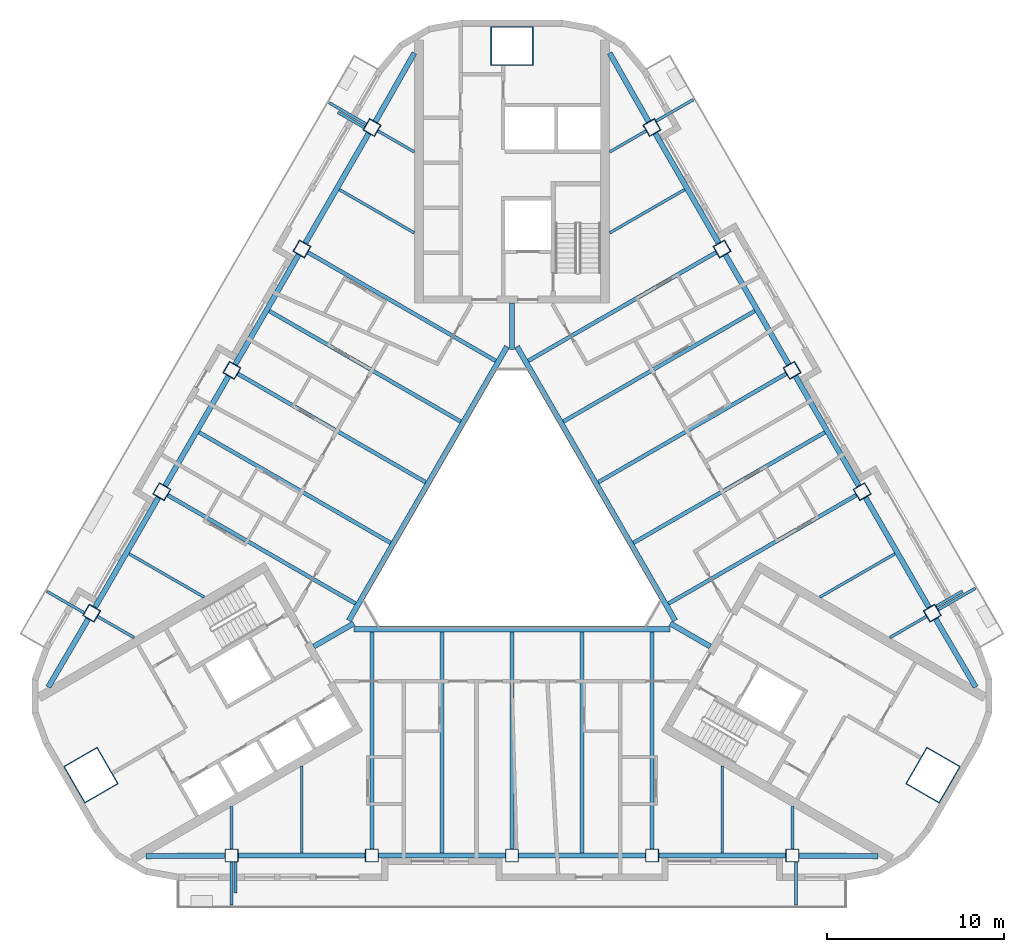
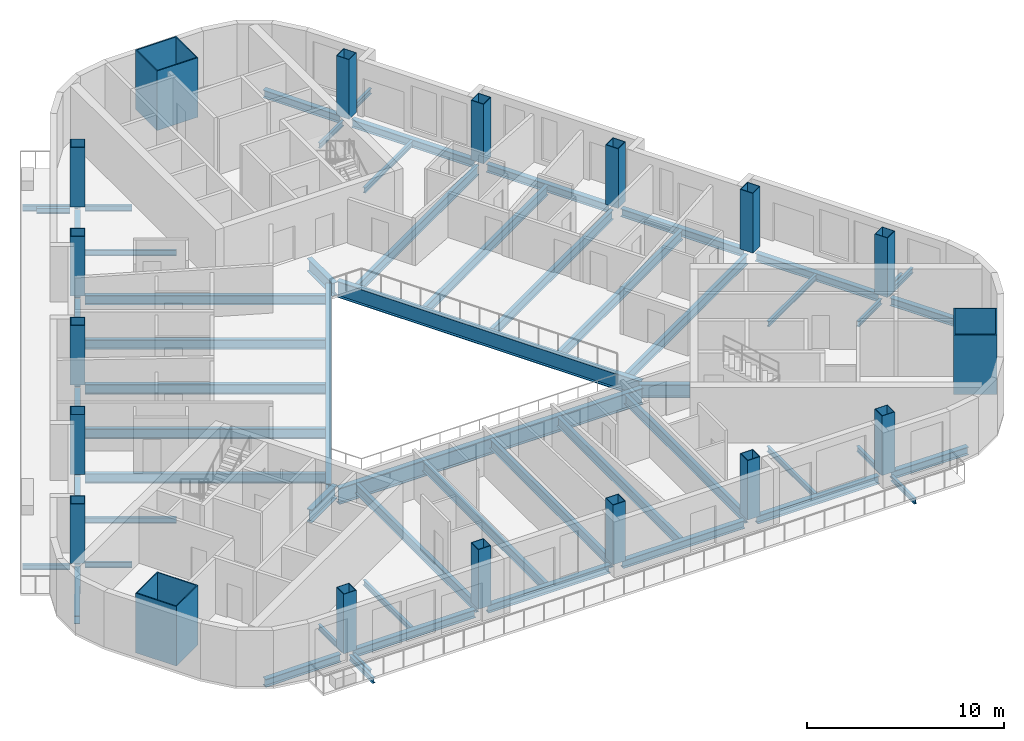
# One storey, part 1 of 14: 60 beams, 18 columns.
"""IFC4 building model written with IfcOpenShell, lengths in metres."""

import ifcopenshell
import ifcopenshell.guid

model = None  # the IFC model being written
_history = None  # IfcOwnerHistory: only IFC2X3 demands one
_inside = {}  # id of a spatial element -> (the spatial element, [elements in it])
_under = {}  # id of a project, library or spatial element -> (it, [spatial elements below it])
_declared = {}  # id of a project -> (the project, [libraries it declares])
_typed = {}  # id of a type object -> (the type object, [elements of that type])
_made_of = {}  # id of a material, layer set ... -> (it, [elements and type objects made of it])


def new_model(schema):
    """Start an empty IFC model of exactly this schema.

    Asked for "IFC4X3", IfcOpenShell would pick the latest addendum, in which some entities
    have other attributes; the version numbers below select the first issue.
    IFC2X3 requires an IfcOwnerHistory on every rooted entity: one is made here for all.
    """
    global model, _history
    if schema == "IFC4X3":
        model = ifcopenshell.file(schema_version=(4, 3, 0, 0))
    else:
        model = ifcopenshell.file(schema=schema)
    _inside.clear()
    _under.clear()
    _declared.clear()
    _typed.clear()
    _made_of.clear()
    _history = None
    if model.schema == "IFC2X3":
        org = make("IfcOrganization", Name="unknown")
        user = make(
            "IfcPersonAndOrganization",
            ThePerson=make("IfcPerson", FamilyName="unknown"),
            TheOrganization=org,
        )
        app = make(
            "IfcApplication",
            ApplicationDeveloper=org,
            Version="unknown",
            ApplicationFullName="unknown",
            ApplicationIdentifier="unknown",
        )
        _history = make(
            "IfcOwnerHistory",
            OwningUser=user,
            OwningApplication=app,
            ChangeAction="ADDED",
            CreationDate=0,
        )
    return model


def make(cls, **values):
    """One entity of the class cls with the attributes given. An attribute that is None is left unset."""
    return model.create_entity(
        cls, **{name: value for name, value in values.items() if value is not None}
    )


def rooted(cls, **values):
    """An entity with a GlobalId (a new one), such as an element, a storey or a relation."""
    return make(cls, GlobalId=ifcopenshell.guid.new(), OwnerHistory=_history, **values)


def si_unit(unit_type, name, prefix=None):
    """IfcSIUnit, for example si_unit("LENGTHUNIT", "METRE", prefix="MILLI")."""
    return make("IfcSIUnit", UnitType=unit_type, Prefix=prefix, Name=name)


def assignment(units):
    """IfcUnitAssignment: the units of a project."""
    return None if units is None else make("IfcUnitAssignment", Units=units)


def point(xyz):
    """IfcCartesianPoint."""
    return None if xyz is None else make("IfcCartesianPoint", Coordinates=xyz)


def direction(xyz):
    """IfcDirection."""
    return None if xyz is None else make("IfcDirection", DirectionRatios=xyz)


def frame(location, z_axis=None, x_axis=None):
    """IfcAxis2Placement3D, a coordinate frame: its origin and axes. An axis left out is left unset."""
    return make(
        "IfcAxis2Placement3D",
        Location=point(location),
        Axis=direction(z_axis),
        RefDirection=direction(x_axis),
    )


def frame_2d(location, x_axis=None):
    """IfcAxis2Placement2D, a coordinate frame in the plane: its origin and x axis."""
    return make(
        "IfcAxis2Placement2D", Location=point(location), RefDirection=direction(x_axis)
    )


def origin():
    """The frame at (0, 0, 0) with its axes left unset."""
    return frame((0.0, 0.0, 0.0))


def origin_2d():
    """The frame at (0, 0) in the plane with its x axis left unset."""
    return frame_2d((0.0, 0.0))


def place(relative_to, where):
    """IfcLocalPlacement: puts the frame where relative to a parent placement (None: the world)."""
    return make(
        "IfcLocalPlacement", PlacementRelTo=relative_to, RelativePlacement=where
    )


def context(
    kind, dimensions, precision=None, world=None, true_north=None, identifier=None
):
    """IfcGeometricRepresentationContext, for example the 3D "Model" context."""
    return make(
        "IfcGeometricRepresentationContext",
        ContextIdentifier=identifier,
        ContextType=kind,
        CoordinateSpaceDimension=dimensions,
        Precision=precision,
        WorldCoordinateSystem=world,
        TrueNorth=true_north,
    )


def subcontext(parent, identifier, kind, view, scale=None):
    """IfcGeometricRepresentationSubContext, for example "Body" below "Model"."""
    return make(
        "IfcGeometricRepresentationSubContext",
        ContextIdentifier=identifier,
        ContextType=kind,
        ParentContext=parent,
        TargetScale=scale,
        TargetView=view,
    )


def project(units=None, contexts=None):
    """IfcProject with its units and contexts."""
    return rooted(
        "IfcProject",
        Name="project",
        RepresentationContexts=contexts,
        UnitsInContext=assignment(units),
    )


def spatial(cls, under=None, at=None, **own):
    """A site, building, storey or space (cls), placed at a placement, below another one or the project."""
    s = rooted(cls, ObjectPlacement=at, **own)
    if under is not None:
        _under.setdefault(under.id(), (under, []))[1].append(s)
    return s


def profile(cls, at=None, kind="AREA", **sizes):
    """A parametric profile (cls). Its sizes go by their IFC names, for example OverallWidth=200.0."""
    return make(cls, ProfileType=kind, Position=at, **sizes)


def rectangle(**sizes):
    """IfcRectangleProfileDef."""
    return profile("IfcRectangleProfileDef", **sizes)


def hollow_rectangle(**sizes):
    """IfcRectangleHollowProfileDef."""
    return profile("IfcRectangleHollowProfileDef", **sizes)


def i_section(**sizes):
    """IfcIShapeProfileDef."""
    return profile("IfcIShapeProfileDef", **sizes)


def extrude(swept, where, along, depth):
    """IfcExtrudedAreaSolid: the profile swept, set in the frame where, extruded along a direction by depth."""
    return make(
        "IfcExtrudedAreaSolid",
        SweptArea=swept,
        Position=where,
        ExtrudedDirection=direction(along),
        Depth=depth,
    )


def shape(context_of_items, identifier, shape_type, items):
    """IfcShapeRepresentation: the items that make up one representation, for example the "Body"."""
    return make(
        "IfcShapeRepresentation",
        ContextOfItems=context_of_items,
        RepresentationIdentifier=identifier,
        RepresentationType=shape_type,
        Items=items,
    )


def material(Name=None, Category=None):
    """IfcMaterial."""
    return make("IfcMaterial", Name=Name, Category=Category)


def material_profile(
    of_material, cross_section, Name=None, Category=None, Priority=None
):
    """IfcMaterialProfile: a cross section and its material."""
    return make(
        "IfcMaterialProfile",
        Name=Name,
        Material=of_material,
        Profile=cross_section,
        Priority=Priority,
        Category=Category,
    )


def profile_set(profiles, Name=None, composite=None):
    """IfcMaterialProfileSet."""
    return make(
        "IfcMaterialProfileSet",
        Name=Name,
        MaterialProfiles=profiles,
        CompositeProfile=composite,
    )


def made_of(thing, what):
    """Note that an element or type object is made of a material, layer set ...; save() writes the relation."""
    if what is not None:
        _made_of.setdefault(what.id(), (what, []))[1].append(thing)
    return thing


def type_object(cls, material=None, **own):
    """A type object (cls), such as IfcWallType, which elements share."""
    return made_of(rooted(cls, **own), material)


def element(
    cls,
    number,
    at=None,
    inside=None,
    cuts=None,
    type_object=None,
    material=None,
    context=None,
    identifier="Body",
    shape_type=None,
    held_by="IfcProductDefinitionShape",
    body=None,
    shapes=None,
    **own,
):
    """One element of the class cls, such as IfcWall. Its Tag is "e" and its number.

    at: its placement. inside: the storey or other place that contains it. cuts: it is an
    opening in that element (IfcRelVoidsElement). A single representation is given by context,
    identifier, shape_type and body (its items); several are given by shapes. held_by: the class
    of the entity that holds the representations. save() writes the other relations.
    """
    e = rooted(cls, Tag="e%d" % number, ObjectPlacement=at, **own)
    if body is not None:
        shapes = [shape(context, identifier, shape_type, body)]
    if shapes is not None:
        e.Representation = make(held_by, Representations=shapes)
    if inside is not None:
        _inside.setdefault(inside.id(), (inside, []))[1].append(e)
    if cuts is not None:
        rooted(
            "IfcRelVoidsElement", RelatingBuildingElement=cuts, RelatedOpeningElement=e
        )
    if type_object is not None:
        _typed.setdefault(type_object.id(), (type_object, []))[1].append(e)
    return made_of(e, material)


def aggregate(whole, parts):
    """IfcRelAggregates: a whole, such as a stair, and the parts it consists of."""
    return rooted("IfcRelAggregates", RelatingObject=whole, RelatedObjects=parts)


def save(model, path):
    """Write the relations noted so far, then the file.

    IfcRelAggregates (storeys below a building ...), IfcRelContainedInSpatialStructure (elements
    in a storey), IfcRelDefinesByType, IfcRelAssociatesMaterial and IfcRelDeclares: one each for
    every whole, place, type object, material and project.
    """
    for whole, parts in _under.values():
        aggregate(whole, parts)
    for where, things in _inside.values():
        rooted(
            "IfcRelContainedInSpatialStructure",
            RelatedElements=things,
            RelatingStructure=where,
        )
    for kind, things in _typed.values():
        rooted("IfcRelDefinesByType", RelatedObjects=things, RelatingType=kind)
    for what, things in _made_of.values():
        rooted("IfcRelAssociatesMaterial", RelatedObjects=things, RelatingMaterial=what)
    for by, libraries in _declared.values():
        rooted("IfcRelDeclares", RelatingContext=by, RelatedDefinitions=libraries)
    model.write(path)


model = new_model("IFC4")

# Units and contexts
model_context = context("Model", 3, precision=1e-05, world=origin(), true_north=direction((0.0, 1.0)))
body_context = subcontext(model_context, "Body", "Model", "MODEL_VIEW")
ifc_project = project(units=[si_unit("LENGTHUNIT", "METRE"), si_unit("AREAUNIT", "SQUARE_METRE"), si_unit("VOLUMEUNIT", "CUBIC_METRE"), si_unit("PLANEANGLEUNIT", "RADIAN"), si_unit("MASSUNIT", "GRAM", prefix="KILO")], contexts=[model_context])

# Site, building, storey
site_placement = place(None, origin())
site = spatial("IfcSite", under=ifc_project, at=site_placement, CompositionType="ELEMENT")
building_placement = place(site_placement, origin())
building = spatial("IfcBuilding", under=site, at=building_placement, Name="Apuvela Tower Hotel", CompositionType="ELEMENT")
storey_placement = place(building_placement, frame((0.0, 0.0, 228.0)))
storey = spatial("IfcBuildingStorey", under=building, at=storey_placement, Name="L56", CompositionType="ELEMENT", Elevation=228.0)

# Columns
ifc_material_1 = material(Name="Steel S460", Category="steel")
ifc_material_profile_1 = material_profile(ifc_material_1, hollow_rectangle(XDim=2.39990234375, YDim=2.199951171875, WallThickness=0.06005859375, at=origin_2d()), Name="BOX 2400x2200x60")
ifc_material_2 = material(Name="Concrete C80/95", Category="concrete")
ifc_material_profile_2 = material_profile(ifc_material_2, rectangle(XDim=2.280029296875, YDim=2.080078125, at=origin_2d()), Name="Concrete C80/95 infill")
ifc_profile_set_1 = profile_set([ifc_material_profile_1, ifc_material_profile_2], Name="Steel S460")
column_type_1 = type_object("IfcColumnType", Name="STR-MC mega column BOX 2400x2200x60", PredefinedType="COLUMN", material=ifc_profile_set_1)
for number, where, z_axis, x_axis, name in (
    (1, (0.0, 27.39990234375, 0.0), (0.0, 0.0, 1.0), (1.0, 0.0, 0.0), "Mega column MC3 N"),
    (2, (-23.72900390625, -13.699951171875, 0.0), (0.0, 0.0, 1.0), (-0.5, 0.866025403784, 0.0), "Mega column MC3 SW"),
    (3, (23.72900390625, -13.699951171875, 0.0), (0.0, 0.0, 1.0), (0.5, 0.866025403784, 0.0), "Mega column MC3 SE"),
):
    element("IfcColumn", number, at=place(storey_placement, frame(where, z_axis=z_axis, x_axis=x_axis)), inside=storey, type_object=column_type_1, Name=name, PredefinedType="COLUMN", context=body_context, shape_type="SweptSolid", body=[
        extrude(hollow_rectangle(XDim=2.39990234375, YDim=2.199951171875, WallThickness=0.06005859375, at=origin_2d()), origin(), (0.0, 0.0, 1.0), 3.699951171875),
    ])
ifc_material_profile_3 = material_profile(ifc_material_1, hollow_rectangle(XDim=0.75, YDim=0.75, WallThickness=0.034912109375, at=origin_2d()), Name="BOX 750x750x35")
ifc_material_profile_4 = material_profile(ifc_material_2, rectangle(XDim=0.679931640625, YDim=0.679931640625, at=origin_2d()), Name="Concrete C80/95 infill")
ifc_profile_set_2 = profile_set([ifc_material_profile_3, ifc_material_profile_4], Name="Steel S460")
column_type_2 = type_object("IfcColumnType", Name="STR-PC perimeter column BOX 750x750x35", PredefinedType="COLUMN", material=ifc_profile_set_2)
for number, where, z_axis, x_axis, name in (
    (4, (-15.800048828125, -18.22998046875, 0.0), (0.0, 0.0, 1.0), (-1.0, 0.0, 0.0), "Perimeter column C5 S1"),
    (5, (-7.89990234375, -18.22998046875, 0.0), (0.0, 0.0, 1.0), (-1.0, 0.0, 0.0), "Perimeter column C5 S2"),
    (6, (0.0, -18.22998046875, 0.0), (0.0, 0.0, 1.0), (-1.0, 0.0, 0.0), "Perimeter column C5 S3"),
    (7, (7.89990234375, -18.22998046875, 0.0), (0.0, 0.0, 1.0), (-1.0, 0.0, 0.0), "Perimeter column C5 S4"),
    (8, (15.800048828125, -18.22998046875, 0.0), (0.0, 0.0, 1.0), (-1.0, 0.0, 0.0), "Perimeter column C5 S5"),
    (9, (23.6875, -4.568115234375, 0.0), (0.0, 0.0, 1.0), (-0.5, 0.866025403784, 0.0), "Perimeter column C5 NE1"),
    (10, (19.737548828125, 2.2734375, 0.0), (0.0, 0.0, 1.0), (-0.5, 0.866025403784, 0.0), "Perimeter column C5 NE2"),
    (11, (15.78759765625, 9.114990234375, 0.0), (0.0, 0.0, 1.0), (-0.5, 0.866025403784, 0.0), "Perimeter column C5 NE3"),
    (12, (11.837646484375, 15.95654296875, 0.0), (0.0, 0.0, 1.0), (-0.5, 0.866025403784, 0.0), "Perimeter column C5 NE4"),
    (13, (7.8876953125, 22.798095703125, 0.0), (0.0, 0.0, 1.0), (-0.5, 0.866025403784, 0.0), "Perimeter column C5 NE5"),
    (14, (-7.8876953125, 22.798095703125, 0.0), (0.0, 0.0, 1.0), (0.5, 0.866025403784, 0.0), "Perimeter column C5 NW1"),
    (15, (-11.837646484375, 15.95654296875, 0.0), (0.0, 0.0, 1.0), (0.5, 0.866025403784, 0.0), "Perimeter column C5 NW2"),
    (16, (-15.78759765625, 9.114990234375, 0.0), (0.0, 0.0, 1.0), (0.5, 0.866025403784, 0.0), "Perimeter column C5 NW3"),
    (17, (-19.737548828125, 2.2734375, 0.0), (0.0, 0.0, 1.0), (0.5, 0.866025403784, 0.0), "Perimeter column C5 NW4"),
    (18, (-23.6875, -4.568115234375, 0.0), (0.0, 0.0, 1.0), (0.5, 0.866025403784, 0.0), "Perimeter column C5 NW5"),
):
    element("IfcColumn", number, at=place(storey_placement, frame(where, z_axis=z_axis, x_axis=x_axis)), inside=storey, type_object=column_type_2, Name=name, PredefinedType="COLUMN", context=body_context, shape_type="SweptSolid", body=[
        extrude(hollow_rectangle(XDim=0.75, YDim=0.75, WallThickness=0.034912109375, at=origin_2d()), origin(), (0.0, 0.0, 1.0), 3.699951171875),
    ])

# Beams
ifc_material_3 = material(Name="Steel S355", Category="steel")
ifc_material_profile_5 = material_profile(ifc_material_3, i_section(OverallWidth=0.159912109375, OverallDepth=0.330078125, WebThickness=0.007568359375, FlangeThickness=0.011474609375, at=origin_2d()), Name="IPE 330")
ifc_profile_set_3 = profile_set([ifc_material_profile_5], Name="Steel S355")
beam_type_1 = type_object("IfcBeamType", Name="ENV-BALCONY-BEAM-IPE330", PredefinedType="BEAM", material=ifc_profile_set_3)
beam_1_placement = place(storey_placement, frame((-15.800048828125, -18.60498046875, -0.31494140625), z_axis=(0.0, -1.0, 0.0), x_axis=(1.0, 0.0, 0.0)))
element("IfcBeam", 19, at=beam_1_placement, inside=storey, type_object=beam_type_1, Name="Balcony cantilever beam S1 L56", PredefinedType="BEAM", context=body_context, shape_type="SweptSolid", body=[
    extrude(i_section(OverallWidth=0.159912109375, OverallDepth=0.330078125, WebThickness=0.007568359375, FlangeThickness=0.011474609375, at=origin_2d()), origin(), (0.0, 0.0, 1.0), 2.425048828125),
])
beam_2_placement = place(storey_placement, frame((-15.580078125, -18.60498046875, -0.31494140625), z_axis=(0.0, -1.0, 0.0), x_axis=(1.0, 0.0, 0.0)))
element("IfcBeam", 20, at=beam_2_placement, inside=storey, type_object=beam_type_1, Name="Balcony cantilever beam S2 L56", PredefinedType="BEAM", context=body_context, shape_type="SweptSolid", body=[
    extrude(i_section(OverallWidth=0.159912109375, OverallDepth=0.330078125, WebThickness=0.007568359375, FlangeThickness=0.011474609375, at=origin_2d()), origin(), (0.0, 0.0, 1.0), 1.72509765625),
])
for number, where, z_axis, x_axis, name in (
    (21, (16.0, -18.60498046875, -0.31494140625), (0.0, -1.0, 0.0), (1.0, 0.0, 0.0), "Balcony cantilever beam S3 L56"),
    (22, (24.012451171875, -4.380615234375, -0.31494140625), (0.866041403502, 0.499972286653, 0.0), (-0.499972286653, 0.866041403502, 0.0), "Balcony cantilever beam NE1 L56"),
):
    element("IfcBeam", number, at=place(storey_placement, frame(where, z_axis=z_axis, x_axis=x_axis)), inside=storey, type_object=beam_type_1, Name=name, PredefinedType="BEAM", context=body_context, shape_type="SweptSolid", body=[
        extrude(i_section(OverallWidth=0.159912109375, OverallDepth=0.330078125, WebThickness=0.007568359375, FlangeThickness=0.011474609375, at=origin_2d()), origin(), (0.0, 0.0, 1.0), 2.425048828125),
    ])
beam_3_placement = place(storey_placement, frame((23.90234375, -4.190185546875, -0.31494140625), z_axis=(0.866013532718, 0.500020560727, 0.0), x_axis=(-0.500020560727, 0.866013532718, 0.0)))
element("IfcBeam", 23, at=beam_3_placement, inside=storey, type_object=beam_type_1, Name="Balcony cantilever beam NE2 L56", PredefinedType="BEAM", context=body_context, shape_type="SweptSolid", body=[
    extrude(i_section(OverallWidth=0.159912109375, OverallDepth=0.330078125, WebThickness=0.007568359375, FlangeThickness=0.011474609375, at=origin_2d()), origin(), (0.0, 0.0, 1.0), 1.72509765625),
])
for number, where, z_axis, x_axis, name in (
    (24, (8.1123046875, 23.158935546875, -0.31494140625), (0.866041403502, 0.499972286653, 0.0), (-0.499972286653, 0.866041403502, 0.0), "Balcony cantilever beam NE3 L56"),
    (25, (-8.21240234375, 22.985595703125, -0.31494140625), (-0.865997808697, 0.500047793048, 0.0), (-0.500047793048, -0.865997808697, 0.0), "Balcony cantilever beam NW1 L56"),
):
    element("IfcBeam", number, at=place(storey_placement, frame(where, z_axis=z_axis, x_axis=x_axis)), inside=storey, type_object=beam_type_1, Name=name, PredefinedType="BEAM", context=body_context, shape_type="SweptSolid", body=[
        extrude(i_section(OverallWidth=0.159912109375, OverallDepth=0.330078125, WebThickness=0.007568359375, FlangeThickness=0.011474609375, at=origin_2d()), origin(), (0.0, 0.0, 1.0), 2.425048828125),
    ])
beam_4_placement = place(storey_placement, frame((-8.322509765625, 22.795166015625, -0.31494140625), z_axis=(-0.866013532718, 0.500020560727, 0.0), x_axis=(-0.500020560727, -0.866013532718, 0.0)))
element("IfcBeam", 26, at=beam_4_placement, inside=storey, type_object=beam_type_1, Name="Balcony cantilever beam NW2 L56", PredefinedType="BEAM", context=body_context, shape_type="SweptSolid", body=[
    extrude(i_section(OverallWidth=0.159912109375, OverallDepth=0.330078125, WebThickness=0.007568359375, FlangeThickness=0.011474609375, at=origin_2d()), origin(), (0.0, 0.0, 1.0), 1.72509765625),
])
beam_5_placement = place(storey_placement, frame((-24.1123046875, -4.553955078125, -0.31494140625), z_axis=(-0.865997808697, 0.500047793048, 0.0), x_axis=(-0.500047793048, -0.865997808697, 0.0)))
element("IfcBeam", 27, at=beam_5_placement, inside=storey, type_object=beam_type_1, Name="Balcony cantilever beam NW3 L56", PredefinedType="BEAM", context=body_context, shape_type="SweptSolid", body=[
    extrude(i_section(OverallWidth=0.159912109375, OverallDepth=0.330078125, WebThickness=0.007568359375, FlangeThickness=0.011474609375, at=origin_2d()), origin(), (0.0, 0.0, 1.0), 2.425048828125),
])
ifc_material_profile_6 = material_profile(ifc_material_3, i_section(OverallWidth=0.159912109375, OverallDepth=0.330078125, WebThickness=0.007568359375, FlangeThickness=0.011474609375, at=origin_2d()), Name="IPE 330")
ifc_profile_set_4 = profile_set([ifc_material_profile_6], Name="Steel S355")
beam_type_2 = type_object("IfcBeamType", Name="STR-B floor beam IPE 330", PredefinedType="BEAM", material=ifc_profile_set_4)
beam_6_placement = place(storey_placement, frame((23.36279296875, -4.755615234375, -0.31494140625), z_axis=(-0.865982457891, -0.500074377092, 0.0), x_axis=(0.500074377092, -0.865982457891, 0.0)))
element("IfcBeam", 28, at=beam_6_placement, inside=storey, type_object=beam_type_2, Name="Floor beam B1 NE1", PredefinedType="BEAM", context=body_context, shape_type="SweptSolid", body=[
    extrude(i_section(OverallWidth=0.159912109375, OverallDepth=0.330078125, WebThickness=0.007568359375, FlangeThickness=0.011474609375, at=origin_2d()), origin(), (0.0, 0.0, 1.0), 2.382080078125),
])
for number, where, z_axis, x_axis, name in (
    (29, (21.582763671875, -1.222412109375, -0.31494140625), (-0.866015056278, -0.500017921979, 0.0), (0.500017921979, -0.866015056278, 0.0), "Floor beam B1 NE2"),
    (30, (9.732666015625, 19.302490234375, -0.31494140625), (-0.866015056278, -0.500017921979, 0.0), (0.500017921979, -0.866015056278, 0.0), "Floor beam B1 NE8"),
):
    element("IfcBeam", number, at=place(storey_placement, frame(where, z_axis=z_axis, x_axis=x_axis)), inside=storey, type_object=beam_type_2, Name=name, PredefinedType="BEAM", context=body_context, shape_type="SweptSolid", body=[
        extrude(i_section(OverallWidth=0.159912109375, OverallDepth=0.330078125, WebThickness=0.007568359375, FlangeThickness=0.011474609375, at=origin_2d()), origin(), (0.0, 0.0, 1.0), 4.887451171875),
    ])
for number, where, z_axis, x_axis, name in (
    (31, (7.56298828125, 22.610595703125, -0.31494140625), (-0.866052464367, -0.499953126767, 0.0), (0.499953126767, -0.866052464367, 0.0), "Floor beam B1 NE9"),
    (32, (-7.56298828125, 22.610595703125, -0.31494140625), (0.866052464367, -0.499953126767, 0.0), (0.499953126767, 0.866052464367, 0.0), "Floor beam B1 NW1"),
):
    element("IfcBeam", number, at=place(storey_placement, frame(where, z_axis=z_axis, x_axis=x_axis)), inside=storey, type_object=beam_type_2, Name=name, PredefinedType="BEAM", context=body_context, shape_type="SweptSolid", body=[
        extrude(i_section(OverallWidth=0.159912109375, OverallDepth=0.330078125, WebThickness=0.007568359375, FlangeThickness=0.011474609375, at=origin_2d()), origin(), (0.0, 0.0, 1.0), 2.382080078125),
    ])
for number, where, z_axis, x_axis, name in (
    (33, (-9.732666015625, 19.302490234375, -0.31494140625), (0.866015056278, -0.500017921979, 0.0), (0.500017921979, 0.866015056278, 0.0), "Floor beam B1 NW2"),
    (34, (-21.582763671875, -1.222412109375, -0.31494140625), (0.866015056278, -0.500017921979, 0.0), (0.500017921979, 0.866015056278, 0.0), "Floor beam B1 NW8"),
):
    element("IfcBeam", number, at=place(storey_placement, frame(where, z_axis=z_axis, x_axis=x_axis)), inside=storey, type_object=beam_type_2, Name=name, PredefinedType="BEAM", context=body_context, shape_type="SweptSolid", body=[
        extrude(i_section(OverallWidth=0.159912109375, OverallDepth=0.330078125, WebThickness=0.007568359375, FlangeThickness=0.011474609375, at=origin_2d()), origin(), (0.0, 0.0, 1.0), 4.887451171875),
    ])
for number, where, z_axis, x_axis, name in (
    (35, (-23.36279296875, -4.755615234375, -0.31494140625), (0.865982457891, -0.500074377092, 0.0), (0.500074377092, 0.865982457891, 0.0), "Floor beam B1 NW9"),
    (36, (-15.800048828125, -17.85498046875, -0.31494140625), (0.0, 1.0, 0.0), (-1.0, 0.0, 0.0), "Floor beam B1 S1"),
):
    element("IfcBeam", number, at=place(storey_placement, frame(where, z_axis=z_axis, x_axis=x_axis)), inside=storey, type_object=beam_type_2, Name=name, PredefinedType="BEAM", context=body_context, shape_type="SweptSolid", body=[
        extrude(i_section(OverallWidth=0.159912109375, OverallDepth=0.330078125, WebThickness=0.007568359375, FlangeThickness=0.011474609375, at=origin_2d()), origin(), (0.0, 0.0, 1.0), 2.382080078125),
    ])
for number, where, z_axis, x_axis, name in (
    (37, (-11.85009765625, -18.080078125, -0.31494140625), (0.0, 1.0, 0.0), (-1.0, 0.0, 0.0), "Floor beam B1 S2"),
    (38, (11.85009765625, -18.080078125, -0.31494140625), (0.0, 1.0, 0.0), (-1.0, 0.0, 0.0), "Floor beam B1 S8"),
):
    element("IfcBeam", number, at=place(storey_placement, frame(where, z_axis=z_axis, x_axis=x_axis)), inside=storey, type_object=beam_type_2, Name=name, PredefinedType="BEAM", context=body_context, shape_type="SweptSolid", body=[
        extrude(i_section(OverallWidth=0.159912109375, OverallDepth=0.330078125, WebThickness=0.007568359375, FlangeThickness=0.011474609375, at=origin_2d()), origin(), (0.0, 0.0, 1.0), 4.8876953125),
    ])
beam_7_placement = place(storey_placement, frame((15.800048828125, -17.85498046875, -0.31494140625), z_axis=(0.0, 1.0, 0.0), x_axis=(-1.0, 0.0, 0.0)))
element("IfcBeam", 39, at=beam_7_placement, inside=storey, type_object=beam_type_2, Name="Floor beam B1 S9", PredefinedType="BEAM", context=body_context, shape_type="SweptSolid", body=[
    extrude(i_section(OverallWidth=0.159912109375, OverallDepth=0.330078125, WebThickness=0.007568359375, FlangeThickness=0.011474609375, at=origin_2d()), origin(), (0.0, 0.0, 1.0), 2.382080078125),
])
ifc_material_profile_7 = material_profile(ifc_material_3, i_section(OverallWidth=0.219970703125, OverallDepth=0.60009765625, WebThickness=0.011962890625, FlangeThickness=0.01904296875, at=origin_2d()), Name="IPE 600")
ifc_profile_set_5 = profile_set([ifc_material_profile_7], Name="Steel S355")
beam_type_3 = type_object("IfcBeamType", Name="STR-B floor beam IPE 600", PredefinedType="BEAM", material=ifc_profile_set_5)
beam_8_placement = place(storey_placement, frame((19.412841796875, 2.0859375, -0.449951171875), z_axis=(-0.866025418325, -0.499999974815, 0.0), x_axis=(0.499999974815, -0.866025418325, 0.0)))
element("IfcBeam", 40, at=beam_8_placement, inside=storey, type_object=beam_type_3, Name="Floor beam B8 NE3", PredefinedType="BEAM", context=body_context, shape_type="SweptSolid", body=[
    extrude(i_section(OverallWidth=0.219970703125, OverallDepth=0.60009765625, WebThickness=0.011962890625, FlangeThickness=0.01904296875, at=origin_2d()), origin(), (0.0, 0.0, 1.0), 12.23486328125),
])
beam_9_placement = place(storey_placement, frame((17.6328125, 5.619140625, -0.449951171875), z_axis=(-0.866027987673, -0.499995524547, 0.0), x_axis=(0.499995524547, -0.866027987673, 0.0)))
element("IfcBeam", 41, at=beam_9_placement, inside=storey, type_object=beam_type_3, Name="Floor beam B8 NE4", PredefinedType="BEAM", context=body_context, shape_type="SweptSolid", body=[
    extrude(i_section(OverallWidth=0.219970703125, OverallDepth=0.60009765625, WebThickness=0.011962890625, FlangeThickness=0.01904296875, at=origin_2d()), origin(), (0.0, 0.0, 1.0), 12.4599609375),
])
beam_10_placement = place(storey_placement, frame((15.462890625, 8.927490234375, -0.449951171875), z_axis=(-0.866025418325, -0.499999974815, 0.0), x_axis=(0.499999974815, -0.866025418325, 0.0)))
element("IfcBeam", 42, at=beam_10_placement, inside=storey, type_object=beam_type_3, Name="Floor beam B8 NE5", PredefinedType="BEAM", context=body_context, shape_type="SweptSolid", body=[
    extrude(i_section(OverallWidth=0.219970703125, OverallDepth=0.60009765625, WebThickness=0.011962890625, FlangeThickness=0.01904296875, at=origin_2d()), origin(), (0.0, 0.0, 1.0), 12.23486328125),
])
beam_11_placement = place(storey_placement, frame((13.6826171875, 12.460693359375, -0.449951171875), z_axis=(-0.866023089177, -0.500004008996, 0.0), x_axis=(0.500004008996, -0.866023089177, 0.0)))
element("IfcBeam", 43, at=beam_11_placement, inside=storey, type_object=beam_type_3, Name="Floor beam B8 NE6", PredefinedType="BEAM", context=body_context, shape_type="SweptSolid", body=[
    extrude(i_section(OverallWidth=0.219970703125, OverallDepth=0.60009765625, WebThickness=0.011962890625, FlangeThickness=0.01904296875, at=origin_2d()), origin(), (0.0, 0.0, 1.0), 12.4599609375),
])
for number, where, z_axis, x_axis, name in (
    (44, (11.512939453125, 15.76904296875, -0.449951171875), (-0.866030406821, -0.499991334387, 0.0), (0.499991334387, -0.866030406821, 0.0), "Floor beam B8 NE7"),
    (45, (-11.512939453125, 15.76904296875, -0.449951171875), (0.866030406821, -0.499991334387, 0.0), (0.499991334387, 0.866030406821, 0.0), "Floor beam B8 NW3"),
):
    element("IfcBeam", number, at=place(storey_placement, frame(where, z_axis=z_axis, x_axis=x_axis)), inside=storey, type_object=beam_type_3, Name=name, PredefinedType="BEAM", context=body_context, shape_type="SweptSolid", body=[
        extrude(i_section(OverallWidth=0.219970703125, OverallDepth=0.60009765625, WebThickness=0.011962890625, FlangeThickness=0.01904296875, at=origin_2d()), origin(), (0.0, 0.0, 1.0), 12.235107421875),
    ])
beam_12_placement = place(storey_placement, frame((-13.6826171875, 12.460693359375, -0.449951171875), z_axis=(0.866023089177, -0.500004008996, 0.0), x_axis=(0.500004008996, 0.866023089177, 0.0)))
element("IfcBeam", 46, at=beam_12_placement, inside=storey, type_object=beam_type_3, Name="Floor beam B8 NW4", PredefinedType="BEAM", context=body_context, shape_type="SweptSolid", body=[
    extrude(i_section(OverallWidth=0.219970703125, OverallDepth=0.60009765625, WebThickness=0.011962890625, FlangeThickness=0.01904296875, at=origin_2d()), origin(), (0.0, 0.0, 1.0), 12.4599609375),
])
beam_13_placement = place(storey_placement, frame((-15.462890625, 8.927490234375, -0.449951171875), z_axis=(0.866025418325, -0.499999974815, 0.0), x_axis=(0.499999974815, 0.866025418325, 0.0)))
element("IfcBeam", 47, at=beam_13_placement, inside=storey, type_object=beam_type_3, Name="Floor beam B8 NW5", PredefinedType="BEAM", context=body_context, shape_type="SweptSolid", body=[
    extrude(i_section(OverallWidth=0.219970703125, OverallDepth=0.60009765625, WebThickness=0.011962890625, FlangeThickness=0.01904296875, at=origin_2d()), origin(), (0.0, 0.0, 1.0), 12.23486328125),
])
beam_14_placement = place(storey_placement, frame((-17.6328125, 5.619140625, -0.449951171875), z_axis=(0.866027987673, -0.499995524547, 0.0), x_axis=(0.499995524547, 0.866027987673, 0.0)))
element("IfcBeam", 48, at=beam_14_placement, inside=storey, type_object=beam_type_3, Name="Floor beam B8 NW6", PredefinedType="BEAM", context=body_context, shape_type="SweptSolid", body=[
    extrude(i_section(OverallWidth=0.219970703125, OverallDepth=0.60009765625, WebThickness=0.011962890625, FlangeThickness=0.01904296875, at=origin_2d()), origin(), (0.0, 0.0, 1.0), 12.4599609375),
])
for number, where, z_axis, x_axis, name in (
    (49, (-19.412841796875, 2.0859375, -0.449951171875), (0.866025418325, -0.499999974815, 0.0), (0.499999974815, 0.866025418325, 0.0), "Floor beam B8 NW7"),
    (50, (-7.89990234375, -17.85498046875, -0.449951171875), (0.0, 1.0, 0.0), (-1.0, 0.0, 0.0), "Floor beam B8 S3"),
):
    element("IfcBeam", number, at=place(storey_placement, frame(where, z_axis=z_axis, x_axis=x_axis)), inside=storey, type_object=beam_type_3, Name=name, PredefinedType="BEAM", context=body_context, shape_type="SweptSolid", body=[
        extrude(i_section(OverallWidth=0.219970703125, OverallDepth=0.60009765625, WebThickness=0.011962890625, FlangeThickness=0.01904296875, at=origin_2d()), origin(), (0.0, 0.0, 1.0), 12.23486328125),
    ])
beam_15_placement = place(storey_placement, frame((-3.949951171875, -18.080078125, -0.449951171875), z_axis=(0.0, 1.0, 0.0), x_axis=(-1.0, 0.0, 0.0)))
element("IfcBeam", 51, at=beam_15_placement, inside=storey, type_object=beam_type_3, Name="Floor beam B8 S4", PredefinedType="BEAM", context=body_context, shape_type="SweptSolid", body=[
    extrude(i_section(OverallWidth=0.219970703125, OverallDepth=0.60009765625, WebThickness=0.011962890625, FlangeThickness=0.01904296875, at=origin_2d()), origin(), (0.0, 0.0, 1.0), 12.4599609375),
])
beam_16_placement = place(storey_placement, frame((0.0, -17.85498046875, -0.449951171875), z_axis=(0.0, 1.0, 0.0), x_axis=(-1.0, 0.0, 0.0)))
element("IfcBeam", 52, at=beam_16_placement, inside=storey, type_object=beam_type_3, Name="Floor beam B8 S5", PredefinedType="BEAM", context=body_context, shape_type="SweptSolid", body=[
    extrude(i_section(OverallWidth=0.219970703125, OverallDepth=0.60009765625, WebThickness=0.011962890625, FlangeThickness=0.01904296875, at=origin_2d()), origin(), (0.0, 0.0, 1.0), 12.23486328125),
])
beam_17_placement = place(storey_placement, frame((3.949951171875, -18.080078125, -0.449951171875), z_axis=(0.0, 1.0, 0.0), x_axis=(-1.0, 0.0, 0.0)))
element("IfcBeam", 53, at=beam_17_placement, inside=storey, type_object=beam_type_3, Name="Floor beam B8 S6", PredefinedType="BEAM", context=body_context, shape_type="SweptSolid", body=[
    extrude(i_section(OverallWidth=0.219970703125, OverallDepth=0.60009765625, WebThickness=0.011962890625, FlangeThickness=0.01904296875, at=origin_2d()), origin(), (0.0, 0.0, 1.0), 12.4599609375),
])
beam_18_placement = place(storey_placement, frame((7.89990234375, -17.85498046875, -0.449951171875), z_axis=(0.0, 1.0, 0.0), x_axis=(-1.0, 0.0, 0.0)))
element("IfcBeam", 54, at=beam_18_placement, inside=storey, type_object=beam_type_3, Name="Floor beam B8 S7", PredefinedType="BEAM", context=body_context, shape_type="SweptSolid", body=[
    extrude(i_section(OverallWidth=0.219970703125, OverallDepth=0.60009765625, WebThickness=0.011962890625, FlangeThickness=0.01904296875, at=origin_2d()), origin(), (0.0, 0.0, 1.0), 12.23486328125),
])
ifc_material_profile_8 = material_profile(ifc_material_3, i_section(OverallWidth=0.300048828125, OverallDepth=1.0, WebThickness=0.01904296875, FlangeThickness=0.035888671875, at=origin_2d()), Name="HE 1000 B")
ifc_profile_set_6 = profile_set([ifc_material_profile_8], Name="Steel S355")
beam_type_4 = type_object("IfcBeamType", Name="STR-G atrium ring girder HE 1000 B", PredefinedType="BEAM", material=ifc_profile_set_6)
beam_19_placement = place(storey_placement, frame((-0.27978515625, 10.455078125, -0.64990234375), z_axis=(-0.500006541319, -0.866021627119, 0.0), x_axis=(0.866021627119, -0.500006541319, 0.0)))
element("IfcBeam", 55, at=beam_19_placement, inside=storey, type_object=beam_type_4, Name="Atrium ring girder G2 N-SW", PredefinedType="BEAM", context=body_context, shape_type="SweptSolid", body=[
    extrude(i_section(OverallWidth=0.300048828125, OverallDepth=1.0, WebThickness=0.01904296875, FlangeThickness=0.035888671875, at=origin_2d()), origin(), (0.0, 0.0, 1.0), 17.828857421875),
])
beam_20_placement = place(storey_placement, frame((-8.91455078125, -5.469970703125, -0.64990234375), z_axis=(1.0, 0.0, 0.0), x_axis=(0.0, 1.0, 0.0)))
element("IfcBeam", 56, at=beam_20_placement, inside=storey, type_object=beam_type_4, Name="Atrium ring girder G2 SW-SE", PredefinedType="BEAM", context=body_context, shape_type="SweptSolid", body=[
    extrude(i_section(OverallWidth=0.300048828125, OverallDepth=1.0, WebThickness=0.01904296875, FlangeThickness=0.035888671875, at=origin_2d()), origin(), (0.0, 0.0, 1.0), 17.8291015625),
])
beam_21_placement = place(storey_placement, frame((9.1943359375, -4.985107421875, -0.64990234375), z_axis=(-0.500006541319, 0.866021627119, 0.0), x_axis=(-0.866021627119, -0.500006541319, 0.0)))
element("IfcBeam", 57, at=beam_21_placement, inside=storey, type_object=beam_type_4, Name="Atrium ring girder G2 SE-N", PredefinedType="BEAM", context=body_context, shape_type="SweptSolid", body=[
    extrude(i_section(OverallWidth=0.300048828125, OverallDepth=1.0, WebThickness=0.01904296875, FlangeThickness=0.035888671875, at=origin_2d()), origin(), (0.0, 0.0, 1.0), 17.828857421875),
])
ifc_material_profile_9 = material_profile(ifc_material_3, i_section(OverallWidth=0.300048828125, OverallDepth=0.800048828125, WebThickness=0.017578125, FlangeThickness=0.032958984375, at=origin_2d()), Name="HE 800 B")
ifc_profile_set_7 = profile_set([ifc_material_profile_9], Name="Steel S355")
beam_type_5 = type_object("IfcBeamType", Name="STR-GT core tie beam HE 800 B", PredefinedType="BEAM", material=ifc_profile_set_7)
for number, where, z_axis, x_axis, name in (
    (58, (0.0, 12.89990234375, -0.550048828125), (0.0, -1.0, 0.0), (1.0, 0.0, 0.0), "Core tie beam GT1 N"),
    (59, (-11.171630859375, -6.449951171875, -0.550048828125), (0.865997922154, 0.500047596559, 0.0), (-0.500047596559, 0.865997922154, 0.0), "Core tie beam GT1 SW"),
    (60, (11.171630859375, -6.449951171875, -0.550048828125), (-0.865997922154, 0.500047596559, 0.0), (-0.500047596559, -0.865997922154, 0.0), "Core tie beam GT1 SE"),
):
    element("IfcBeam", number, at=place(storey_placement, frame(where, z_axis=z_axis, x_axis=x_axis)), inside=storey, type_object=beam_type_5, Name=name, PredefinedType="BEAM", context=body_context, shape_type="SweptSolid", body=[
        extrude(i_section(OverallWidth=0.300048828125, OverallDepth=0.800048828125, WebThickness=0.017578125, FlangeThickness=0.032958984375, at=origin_2d()), origin(), (0.0, 0.0, 1.0), 2.599853515625),
    ])
ifc_material_profile_10 = material_profile(ifc_material_3, i_section(OverallWidth=0.300048828125, OverallDepth=0.489990234375, WebThickness=0.011962890625, FlangeThickness=0.02294921875, at=origin_2d()), Name="HE 500 A")
ifc_profile_set_8 = profile_set([ifc_material_profile_10], Name="Steel S355")
beam_type_6 = type_object("IfcBeamType", Name="STR-SB spandrel beam HE 500 A", PredefinedType="SPANDREL", material=ifc_profile_set_8)
beam_22_placement = place(storey_placement, frame((-15.425048828125, -18.22998046875, -0.39501953125), z_axis=(1.0, 0.0, 0.0), x_axis=(0.0, 1.0, 0.0)))
element("IfcBeam", 61, at=beam_22_placement, inside=storey, type_object=beam_type_6, Name="Spandrel beam SB3 S1", PredefinedType="SPANDREL", context=body_context, shape_type="SweptSolid", body=[
    extrude(i_section(OverallWidth=0.300048828125, OverallDepth=0.489990234375, WebThickness=0.011962890625, FlangeThickness=0.02294921875, at=origin_2d()), origin(), (0.0, 0.0, 1.0), 7.150146484375),
])
for number, where, z_axis, x_axis, name in (
    (62, (-7.52490234375, -18.22998046875, -0.39501953125), (1.0, 0.0, 0.0), (0.0, 1.0, 0.0), "Spandrel beam SB3 S2"),
    (63, (0.375, -18.22998046875, -0.39501953125), (1.0, 0.0, 0.0), (0.0, 1.0, 0.0), "Spandrel beam SB3 S3"),
):
    element("IfcBeam", number, at=place(storey_placement, frame(where, z_axis=z_axis, x_axis=x_axis)), inside=storey, type_object=beam_type_6, Name=name, PredefinedType="SPANDREL", context=body_context, shape_type="SweptSolid", body=[
        extrude(i_section(OverallWidth=0.300048828125, OverallDepth=0.489990234375, WebThickness=0.011962890625, FlangeThickness=0.02294921875, at=origin_2d()), origin(), (0.0, 0.0, 1.0), 7.14990234375),
    ])
beam_23_placement = place(storey_placement, frame((8.27490234375, -18.22998046875, -0.39501953125), z_axis=(1.0, 0.0, 0.0), x_axis=(0.0, 1.0, 0.0)))
element("IfcBeam", 64, at=beam_23_placement, inside=storey, type_object=beam_type_6, Name="Spandrel beam SB3 S4", PredefinedType="SPANDREL", context=body_context, shape_type="SweptSolid", body=[
    extrude(i_section(OverallWidth=0.300048828125, OverallDepth=0.489990234375, WebThickness=0.011962890625, FlangeThickness=0.02294921875, at=origin_2d()), origin(), (0.0, 0.0, 1.0), 7.150146484375),
])
beam_24_placement = place(storey_placement, frame((23.5, -4.243408203125, -0.39501953125), z_axis=(-0.500006209673, 0.866021818598, 0.0), x_axis=(-0.866021818598, -0.500006209673, 0.0)))
element("IfcBeam", 65, at=beam_24_placement, inside=storey, type_object=beam_type_6, Name="Spandrel beam SB3 NE1", PredefinedType="SPANDREL", context=body_context, shape_type="SweptSolid", body=[
    extrude(i_section(OverallWidth=0.300048828125, OverallDepth=0.489990234375, WebThickness=0.011962890625, FlangeThickness=0.02294921875, at=origin_2d()), origin(), (0.0, 0.0, 1.0), 7.14990234375),
])
for number, where, z_axis, x_axis, name in (
    (66, (19.550048828125, 2.59814453125, -0.39501953125), (-0.499991424076, 0.86603035504, 0.0), (-0.86603035504, -0.499991424076, 0.0), "Spandrel beam SB3 NE2"),
    (67, (15.60009765625, 9.439697265625, -0.39501953125), (-0.499991424076, 0.86603035504, 0.0), (-0.86603035504, -0.499991424076, 0.0), "Spandrel beam SB3 NE3"),
):
    element("IfcBeam", number, at=place(storey_placement, frame(where, z_axis=z_axis, x_axis=x_axis)), inside=storey, type_object=beam_type_6, Name=name, PredefinedType="SPANDREL", context=body_context, shape_type="SweptSolid", body=[
        extrude(i_section(OverallWidth=0.300048828125, OverallDepth=0.489990234375, WebThickness=0.011962890625, FlangeThickness=0.02294921875, at=origin_2d()), origin(), (0.0, 0.0, 1.0), 7.150146484375),
    ])
for number, where, z_axis, x_axis, name in (
    (68, (11.650146484375, 16.281494140625, -0.39501953125), (-0.500006209673, 0.866021818598, 0.0), (-0.866021818598, -0.500006209673, 0.0), "Spandrel beam SB3 NE4"),
    (69, (-8.0751953125, 22.473388671875, -0.39501953125), (-0.500006209673, -0.866021818598, 0.0), (0.866021818598, -0.500006209673, 0.0), "Spandrel beam SB3 NW1"),
):
    element("IfcBeam", number, at=place(storey_placement, frame(where, z_axis=z_axis, x_axis=x_axis)), inside=storey, type_object=beam_type_6, Name=name, PredefinedType="SPANDREL", context=body_context, shape_type="SweptSolid", body=[
        extrude(i_section(OverallWidth=0.300048828125, OverallDepth=0.489990234375, WebThickness=0.011962890625, FlangeThickness=0.02294921875, at=origin_2d()), origin(), (0.0, 0.0, 1.0), 7.14990234375),
    ])
for number, where, z_axis, x_axis, name in (
    (70, (-12.025146484375, 15.6318359375, -0.39501953125), (-0.499991424076, -0.86603035504, 0.0), (0.86603035504, -0.499991424076, 0.0), "Spandrel beam SB3 NW2"),
    (71, (-15.97509765625, 8.790283203125, -0.39501953125), (-0.499991424076, -0.86603035504, 0.0), (0.86603035504, -0.499991424076, 0.0), "Spandrel beam SB3 NW3"),
):
    element("IfcBeam", number, at=place(storey_placement, frame(where, z_axis=z_axis, x_axis=x_axis)), inside=storey, type_object=beam_type_6, Name=name, PredefinedType="SPANDREL", context=body_context, shape_type="SweptSolid", body=[
        extrude(i_section(OverallWidth=0.300048828125, OverallDepth=0.489990234375, WebThickness=0.011962890625, FlangeThickness=0.02294921875, at=origin_2d()), origin(), (0.0, 0.0, 1.0), 7.150146484375),
    ])
beam_25_placement = place(storey_placement, frame((-19.925048828125, 1.948486328125, -0.39501953125), z_axis=(-0.500006209673, -0.866021818598, 0.0), x_axis=(0.866021818598, -0.500006209673, 0.0)))
element("IfcBeam", 72, at=beam_25_placement, inside=storey, type_object=beam_type_6, Name="Spandrel beam SB3 NW4", PredefinedType="SPANDREL", context=body_context, shape_type="SweptSolid", body=[
    extrude(i_section(OverallWidth=0.300048828125, OverallDepth=0.489990234375, WebThickness=0.011962890625, FlangeThickness=0.02294921875, at=origin_2d()), origin(), (0.0, 0.0, 1.0), 7.14990234375),
])
for number, where, z_axis, x_axis, name in (
    (73, (-16.175048828125, -18.232666015625, -0.39501953125), (-0.999976567383, -0.006845778571, 0.0), (0.006845778571, -0.999976567383, 0.0), "Spandrel beam SB3 S1-SW"),
    (74, (16.175048828125, -18.232666015625, -0.39501953125), (0.999976567383, -0.006845778571, 0.0), (0.006845778571, 0.999976567383, 0.0), "Spandrel beam SB3 S5-SE"),
    (75, (23.87744140625, -4.8916015625, -0.39501953125), (0.505933122104, -0.862572707636, 0.0), (0.862572707636, 0.505933122104, 0.0), "Spandrel beam SB3 NE1-SE"),
    (76, (7.702392578125, 23.124267578125, -0.39501953125), (-0.494055513212, 0.869430359411, 0.0), (-0.869430359411, -0.494055513212, 0.0), "Spandrel beam SB3 NE5-N"),
    (77, (-7.702392578125, 23.124267578125, -0.39501953125), (0.494055513212, 0.869430359411, 0.0), (-0.869430359411, 0.494055513212, 0.0), "Spandrel beam SB3 NW1-N"),
    (78, (-23.87744140625, -4.8916015625, -0.39501953125), (-0.505933122104, -0.862572707636, 0.0), (0.862572707636, -0.505933122104, 0.0), "Spandrel beam SB3 NW5-SW"),
):
    element("IfcBeam", number, at=place(storey_placement, frame(where, z_axis=z_axis, x_axis=x_axis)), inside=storey, type_object=beam_type_6, Name=name, PredefinedType="SPANDREL", context=body_context, shape_type="SweptSolid", body=[
        extrude(i_section(OverallWidth=0.300048828125, OverallDepth=0.489990234375, WebThickness=0.011962890625, FlangeThickness=0.02294921875, at=origin_2d()), origin(), (0.0, 0.0, 1.0), 4.457763671875),
    ])

save(model, "model.ifc")
